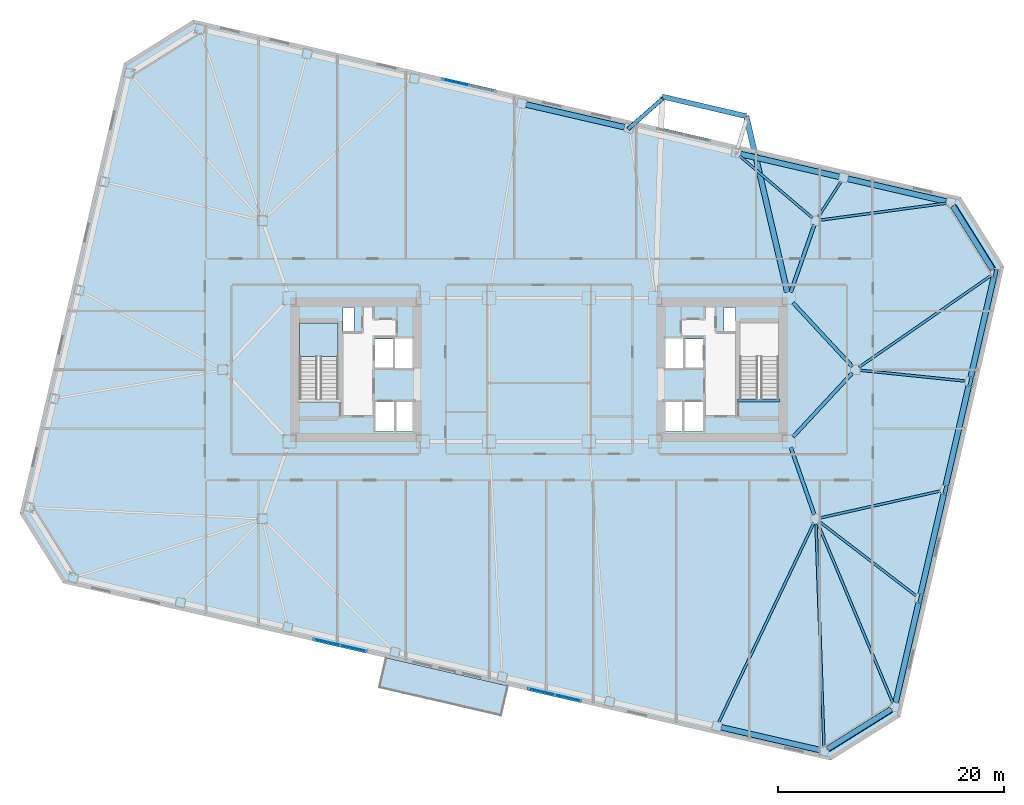
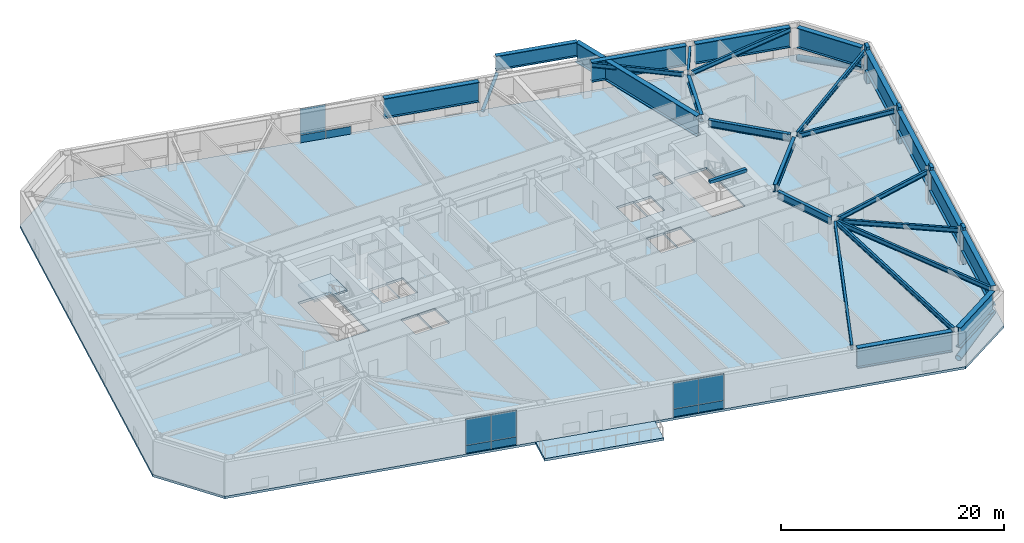
# One storey, part 8 of 21: 27 beams, 11 plates, 7 members, 3 slabs, 4 elements without a shape of their own.
"""IFC4 building model written with IfcOpenShell, lengths in metres."""

from ifc_helpers import new_model, si_unit, direction, frame, origin, origin_2d, place, context, subcontext, project, spatial, polyline, rectangle, hollow_circle, i_section, outline, extrude, material, layer, layer_set, material_profile, profile_set, type_object, element, aggregate, save


model = new_model("IFC4")

# Units and contexts
model_context = context("Model", 3, precision=1e-05, world=origin(), true_north=direction((0.0, 1.0)))
body_context = subcontext(model_context, "Body", "Model", "MODEL_VIEW")
ifc_project = project(units=[si_unit("LENGTHUNIT", "METRE"), si_unit("AREAUNIT", "SQUARE_METRE"), si_unit("VOLUMEUNIT", "CUBIC_METRE"), si_unit("PLANEANGLEUNIT", "RADIAN"), si_unit("MASSUNIT", "GRAM", prefix="KILO")], contexts=[model_context])

# Site, building, storey
site_placement = place(None, origin())
site = spatial("IfcSite", under=ifc_project, at=site_placement, CompositionType="ELEMENT")
building_placement = place(site_placement, origin())
building = spatial("IfcBuilding", under=site, at=building_placement, Name="Tavrogorsk Clinical Tower", CompositionType="ELEMENT")
storey_placement = place(building_placement, frame((0.0, 0.0, 59.39990234375)))
storey = spatial("IfcBuildingStorey", under=building, at=storey_placement, Name="L12", CompositionType="ELEMENT", Elevation=59.39990234375)

# Members
ifc_material_1 = material(Name="Structural steel S390", Category="steel")
ifc_material_profile_1 = material_profile(ifc_material_1, hollow_circle(Radius=0.177734375, WallThickness=0.01416015625, at=origin_2d()), Name="CHS-355.6x14.2")
ifc_profile_set_1 = profile_set([ifc_material_profile_1], Name="Structural steel S390")
member_type_1 = type_object("IfcMemberType", Name="DayroomStrut_CHS355", PredefinedType="STRUT", material=ifc_profile_set_1)
member_placement = place(storey_placement, frame((7.8984375, 21.334716796875, 0.424072265625), z_axis=(0.709462383556, 0.625762084719, 0.324168073147), x_axis=(-0.661482466426, 0.749960630041, 0.0)))
element("IfcMember", 1, at=member_placement, inside=storey, type_object=member_type_1, Name="L13 Day-Room Raking Strut DRB-02-L", PredefinedType="STRUT", context=body_context, shape_type="SweptSolid", body=[
    extrude(hollow_circle(Radius=0.177734375, WallThickness=0.01416015625, at=origin_2d()), origin(), (0.0, 0.0, 1.0), 4.293701171875),
])
ifc_material_2 = material(Name="Structural steel S440", Category="steel")
ifc_material_profile_2 = material_profile(ifc_material_2, hollow_circle(Radius=0.304931640625, WallThickness=0.02490234375, at=origin_2d()), Name="CHS-610x25")
ifc_profile_set_2 = profile_set([ifc_material_profile_2], Name="Structural steel S440")
member_type_2 = type_object("IfcMemberType", Name="ExoBrace_CHS610", PredefinedType="BRACE", material=ifc_profile_set_2)
for number, where, z_axis, x_axis, name in (
    (2, (25.581298828125, -33.543212890625, 0.365234375), (0.837159026748, 0.523104776539, 0.159769073029), (-0.5299118025, 0.848052758719, 0.0), "L12 Corner Exoskeleton Brace S8-E1"),
    (3, (36.664794921875, 14.46435546875, 0.365234375), (0.523104776539, -0.837159026748, 0.159769073029), (0.848052758719, 0.5299118025, 0.0), "L12 Corner Exoskeleton Brace E5-N1"),
):
    element("IfcMember", number, at=place(storey_placement, frame(where, z_axis=z_axis, x_axis=x_axis)), inside=storey, type_object=member_type_2, Name=name, PredefinedType="BRACE", context=body_context, shape_type="SweptSolid", body=[
        extrude(hollow_circle(Radius=0.304931640625, WallThickness=0.02490234375, at=origin_2d()), origin(), (0.0, 0.0, 1.0), 6.63330078125),
    ])

# Beams
ifc_material_3 = material(Name="Structural steel S355", Category="steel")
ifc_material_profile_3 = material_profile(ifc_material_3, i_section(OverallWidth=0.219970703125, OverallDepth=0.5, WebThickness=0.012939453125, FlangeThickness=0.02001953125, at=origin_2d()), Name="B-500x220x13x20")
ifc_profile_set_3 = profile_set([ifc_material_profile_3], Name="Structural steel S355")
beam_type_1 = type_object("IfcBeamType", Name="FloorBeam_B500", PredefinedType="BEAM", material=ifc_profile_set_3)
beam_1_placement = place(storey_placement, frame((24.323486328125, -13.570068359375, 3.489990234375), z_axis=(-0.430503237889, -0.90258903282, 0.0), x_axis=(0.90258903282, -0.430503237889, 0.0)))
element("IfcBeam", 4, at=beam_1_placement, inside=storey, type_object=beam_type_1, Name="L12 Radial Floor Beam S7", PredefinedType="BEAM", context=body_context, shape_type="SweptSolid", body=[
    extrude(i_section(OverallWidth=0.219970703125, OverallDepth=0.5, WebThickness=0.012939453125, FlangeThickness=0.02001953125, at=origin_2d()), origin(), (0.0, 0.0, 1.0), 19.527587890625),
])
beam_2_placement = place(storey_placement, frame((24.5146484375, -13.609619140625, 3.489990234375), z_axis=(0.035968399295, -0.999352927775, 0.0), x_axis=(0.999352927775, 0.035968399295, 0.0)))
element("IfcBeam", 5, at=beam_2_placement, inside=storey, type_object=beam_type_1, Name="L12 Radial Floor Beam S8", PredefinedType="BEAM", context=body_context, shape_type="SweptSolid", body=[
    extrude(i_section(OverallWidth=0.219970703125, OverallDepth=0.5, WebThickness=0.012939453125, FlangeThickness=0.02001953125, at=origin_2d()), origin(), (0.0, 0.0, 1.0), 19.751953125),
])
beam_3_placement = place(storey_placement, frame((24.90625, 13.254638671875, 3.489990234375), z_axis=(0.991091561022, 0.133182272357, 0.0), x_axis=(-0.133182272357, 0.991091561022, 0.0)))
element("IfcBeam", 6, at=beam_3_placement, inside=storey, type_object=beam_type_1, Name="L12 Radial Floor Beam N1", PredefinedType="BEAM", context=body_context, shape_type="SweptSolid", body=[
    extrude(i_section(OverallWidth=0.219970703125, OverallDepth=0.5, WebThickness=0.012939453125, FlangeThickness=0.02001953125, at=origin_2d()), origin(), (0.0, 0.0, 1.0), 11.24072265625),
])
beam_4_placement = place(storey_placement, frame((24.722412109375, 13.54443359375, 3.489990234375), z_axis=(0.54237908978, 0.840133872052, 0.0), x_axis=(-0.840133872052, 0.54237908978, 0.0)))
element("IfcBeam", 7, at=beam_4_placement, inside=storey, type_object=beam_type_1, Name="L12 Radial Floor Beam N2", PredefinedType="BEAM", context=body_context, shape_type="SweptSolid", body=[
    extrude(i_section(OverallWidth=0.219970703125, OverallDepth=0.5, WebThickness=0.012939453125, FlangeThickness=0.02001953125, at=origin_2d()), origin(), (0.0, 0.0, 1.0), 3.70361328125),
])
beam_5_placement = place(storey_placement, frame((24.187744140625, 13.465576171875, 3.489990234375), z_axis=(-0.761805700094, 0.647805584496, 0.0), x_axis=(-0.647805584496, -0.761805700094, 0.0)))
element("IfcBeam", 8, at=beam_5_placement, inside=storey, type_object=beam_type_1, Name="L12 Radial Floor Beam N3", PredefinedType="BEAM", context=body_context, shape_type="SweptSolid", body=[
    extrude(i_section(OverallWidth=0.219970703125, OverallDepth=0.5, WebThickness=0.012939453125, FlangeThickness=0.02001953125, at=origin_2d()), origin(), (0.0, 0.0, 1.0), 8.431396484375),
])
beam_6_placement = place(storey_placement, frame((24.658447265625, -13.578125, 3.489990234375), z_axis=(0.386243430459, -0.922396884441, 0.0), x_axis=(0.922396884441, 0.386243430459, 0.0)))
element("IfcBeam", 9, at=beam_6_placement, inside=storey, type_object=beam_type_1, Name="L12 Radial Floor Beam E1", PredefinedType="BEAM", context=body_context, shape_type="SweptSolid", body=[
    extrude(i_section(OverallWidth=0.219970703125, OverallDepth=0.5, WebThickness=0.012939453125, FlangeThickness=0.02001953125, at=origin_2d()), origin(), (0.0, 0.0, 1.0), 17.243408203125),
])
beam_7_placement = place(storey_placement, frame((24.825439453125, -13.449462890625, 3.489990234375), z_axis=(0.7934457884, -0.608640929342, 0.0), x_axis=(0.608640929342, 0.7934457884, 0.0)))
element("IfcBeam", 10, at=beam_7_placement, inside=storey, type_object=beam_type_1, Name="L12 Radial Floor Beam E2", PredefinedType="BEAM", context=body_context, shape_type="SweptSolid", body=[
    extrude(i_section(OverallWidth=0.219970703125, OverallDepth=0.5, WebThickness=0.012939453125, FlangeThickness=0.02001953125, at=origin_2d()), origin(), (0.0, 0.0, 1.0), 10.769287109375),
])
beam_8_placement = place(storey_placement, frame((24.900146484375, -13.1103515625, 3.489990234375), z_axis=(0.975844140255, 0.218467878484, 0.0), x_axis=(-0.218467878484, 0.975844140255, 0.0)))
element("IfcBeam", 11, at=beam_8_placement, inside=storey, type_object=beam_type_1, Name="L12 Radial Floor Beam E3", PredefinedType="BEAM", context=body_context, shape_type="SweptSolid", body=[
    extrude(i_section(OverallWidth=0.219970703125, OverallDepth=0.5, WebThickness=0.012939453125, FlangeThickness=0.02001953125, at=origin_2d()), origin(), (0.0, 0.0, 1.0), 10.876708984375),
])
beam_9_placement = place(storey_placement, frame((28.407958984375, -0.041748046875, 3.489990234375), z_axis=(0.994791610226, -0.101929643501, 0.0), x_axis=(0.101929643501, 0.994791610226, 0.0)))
element("IfcBeam", 12, at=beam_9_placement, inside=storey, type_object=beam_type_1, Name="L12 Radial Floor Beam E4", PredefinedType="BEAM", context=body_context, shape_type="SweptSolid", body=[
    extrude(i_section(OverallWidth=0.219970703125, OverallDepth=0.5, WebThickness=0.012939453125, FlangeThickness=0.02001953125, at=origin_2d()), origin(), (0.0, 0.0, 1.0), 9.365234375),
])
beam_10_placement = place(storey_placement, frame((28.3369140625, 0.233642578125, 3.489990234375), z_axis=(0.82154295725, 0.570146620961, 0.0), x_axis=(-0.570146620961, 0.82154295725, 0.0)))
element("IfcBeam", 13, at=beam_10_placement, inside=storey, type_object=beam_type_1, Name="L12 Radial Floor Beam E5", PredefinedType="BEAM", context=body_context, shape_type="SweptSolid", body=[
    extrude(i_section(OverallWidth=0.219970703125, OverallDepth=0.5, WebThickness=0.012939453125, FlangeThickness=0.02001953125, at=origin_2d()), origin(), (0.0, 0.0, 1.0), 14.212646484375),
])

# Members
ifc_material_4 = material(Name="Precast concrete B45 with limestone cladding", Category="masonry")
ifc_material_profile_4 = material_profile(ifc_material_4, rectangle(XDim=0.320068359375, YDim=0.719970703125, at=origin_2d()), Name="LIMESTONE-FIN-320x720")
ifc_profile_set_4 = profile_set([ifc_material_profile_4], Name="Precast concrete B45 with limestone cladding")
member_type_3 = type_object("IfcMemberType", Name="LimestonePleatFin_320x720", PredefinedType="USERDEFINED", material=ifc_profile_set_4)
for number, where, z_axis, x_axis, name in (
    (14, (33.772216796875, -20.2705078125, 0.0), (0.0, 0.0, 1.0), (0.974370064785, -0.224951054344, 0.0), "L12 E Pleated Stone Fin 1"),
    (15, (35.990234375, -10.6630859375, 0.0), (0.0, 0.0, 1.0), (0.974370064785, -0.224951054344, 0.0), "L12 E Pleated Stone Fin 2"),
    (16, (38.208251953125, -1.055908203125, 0.0), (0.0, 0.0, 1.0), (0.974370064785, -0.224951054344, 0.0), "L12 E Pleated Stone Fin 3"),
    (17, (40.42626953125, 8.551513671875, 0.0), (0.0, 0.0, 1.0), (0.974370064785, -0.224951054344, 0.0), "L12 E Pleated Stone Fin 4"),
):
    element("IfcMember", number, at=place(storey_placement, frame(where, z_axis=z_axis, x_axis=x_axis)), inside=storey, type_object=member_type_3, Name=name, ObjectType="FIN", PredefinedType="USERDEFINED", context=body_context, shape_type="SweptSolid", body=[
        extrude(rectangle(XDim=0.320068359375, YDim=0.719970703125, at=origin_2d()), origin(), (0.0, 0.0, 1.0), 4.0),
    ])

# Beams
ifc_material_5 = material(Name="Structural steel S390", Category="steel")
ifc_material_profile_5 = material_profile(ifc_material_5, i_section(OverallWidth=0.320068359375, OverallDepth=0.800048828125, WebThickness=0.02001953125, FlangeThickness=0.033935546875, at=origin_2d()), Name="B-800x320x20x34")
ifc_profile_set_5 = profile_set([ifc_material_profile_5], Name="Structural steel S390")
beam_type_2 = type_object("IfcBeamType", Name="PrimaryGirder_B800", PredefinedType="USERDEFINED", material=ifc_profile_set_5)
for number, where, z_axis, x_axis, name in (
    (18, (24.364501953125, -12.81298828125, 3.340087890625), (-0.330668611543, 0.943746930771, 0.0), (-0.943746930771, -0.330668611543, 0.0), "L12 Spine Link Girder OPG-2"),
    (19, (24.364501953125, 12.81298828125, 3.340087890625), (-0.330668611543, -0.943746930771, 0.0), (0.943746930771, -0.330668611543, 0.0), "L12 Spine Link Girder OPG-4"),
):
    element("IfcBeam", number, at=place(storey_placement, frame(where, z_axis=z_axis, x_axis=x_axis)), inside=storey, type_object=beam_type_2, Name=name, ObjectType="GIRDER", PredefinedType="USERDEFINED", context=body_context, shape_type="SweptSolid", body=[
        extrude(i_section(OverallWidth=0.320068359375, OverallDepth=0.800048828125, WebThickness=0.02001953125, FlangeThickness=0.033935546875, at=origin_2d()), origin(), (0.0, 0.0, 1.0), 6.288330078125),
    ])
for number, where, z_axis, x_axis, name in (
    (20, (27.720947265625, -0.30029296875, 3.340087890625), (-0.680671250221, -0.732589004233, 0.0), (0.732589004233, -0.680671250221, 0.0), "L12 Spine Link Girder OPG-7"),
    (21, (27.720947265625, 0.30029296875, 3.340087890625), (-0.680671250221, 0.732589004233, 0.0), (-0.732589004233, -0.680671250221, 0.0), "L12 Spine Link Girder OPG-8"),
):
    element("IfcBeam", number, at=place(storey_placement, frame(where, z_axis=z_axis, x_axis=x_axis)), inside=storey, type_object=beam_type_2, Name=name, ObjectType="GIRDER", PredefinedType="USERDEFINED", context=body_context, shape_type="SweptSolid", body=[
        extrude(i_section(OverallWidth=0.320068359375, OverallDepth=0.800048828125, WebThickness=0.02001953125, FlangeThickness=0.033935546875, at=origin_2d()), origin(), (0.0, 0.0, 1.0), 7.697998046875),
    ])
ifc_material_6 = material(Name="Concrete B60", Category="concrete")
ifc_material_profile_6 = material_profile(ifc_material_6, rectangle(XDim=0.300048828125, YDim=0.35009765625, at=origin_2d()), Name="RC-SHB-300x350")
ifc_profile_set_6 = profile_set([ifc_material_profile_6], Name="Concrete B60")
beam_type_3 = type_object("IfcBeamType", Name="StairHeaderBeam_RC300x350", PredefinedType="BEAM", material=ifc_profile_set_6)
beam_11_placement = place(storey_placement, frame((17.550048828125, -2.719970703125, 3.8251953125), z_axis=(1.0, 0.0, 0.0), x_axis=(0.0, 1.0, 0.0)))
element("IfcBeam", 22, at=beam_11_placement, inside=storey, type_object=beam_type_3, Name="L13 ST-E Landing Header Beam", PredefinedType="BEAM", context=body_context, shape_type="SweptSolid", body=[
    extrude(rectangle(XDim=0.300048828125, YDim=0.35009765625, at=origin_2d()), origin(), (0.0, 0.0, 1.0), 3.800048828125),
])
ifc_material_7 = material(Name="Structural steel S440", Category="steel")
ifc_material_profile_7 = material_profile(ifc_material_7, i_section(OverallWidth=0.449951171875, OverallDepth=1.60009765625, WebThickness=0.031982421875, FlangeThickness=0.050048828125, at=origin_2d()), Name="DK-1600x450x32x50")
ifc_profile_set_7 = profile_set([ifc_material_profile_7], Name="Structural steel S440")
beam_type_4 = type_object("IfcBeamType", Name="TransferGirder_DK1600", PredefinedType="USERDEFINED", material=ifc_profile_set_7)
beam_12_placement = place(storey_placement, frame((10.895263671875, 24.191162109375, 2.940185546875), z_axis=(0.973832258292, -0.227267975547, 0.0), x_axis=(0.227267975547, 0.973832258292, 0.0)))
element("IfcBeam", 23, at=beam_12_placement, inside=storey, type_object=beam_type_4, Name="L13 Day-Room Base Edge Girder DRB-02", ObjectType="GIRDER", PredefinedType="USERDEFINED", context=body_context, shape_type="SweptSolid", body=[
    extrude(i_section(OverallWidth=0.449951171875, OverallDepth=1.60009765625, WebThickness=0.031982421875, FlangeThickness=0.050048828125, at=origin_2d()), origin(), (0.0, 0.0, 1.0), 7.645263671875),
])
ifc_material_8 = material(Name="Structural steel S440", Category="steel")
ifc_material_profile_8 = material_profile(ifc_material_8, i_section(OverallWidth=0.5, OverallDepth=2.199951171875, WebThickness=0.035888671875, FlangeThickness=0.054931640625, at=origin_2d()), Name="DK-2200x500x36x55")
ifc_profile_set_8 = profile_set([ifc_material_profile_8], Name="Structural steel S440")
beam_type_5 = type_object("IfcBeamType", Name="TransferGirder_DK2200", PredefinedType="USERDEFINED", material=ifc_profile_set_8)
beam_13_placement = place(storey_placement, frame((16.138427734375, -31.655517578125, 2.64013671875), z_axis=(0.974372766602, -0.224939351168, 0.0), x_axis=(0.224939351168, 0.974372766602, 0.0)))
element("IfcBeam", 24, at=beam_13_placement, inside=storey, type_object=beam_type_5, Name="L12 Perimeter Spandrel S7-S8", ObjectType="GIRDER", PredefinedType="USERDEFINED", context=body_context, shape_type="SweptSolid", body=[
    extrude(i_section(OverallWidth=0.5, OverallDepth=2.199951171875, WebThickness=0.035888671875, FlangeThickness=0.054931640625, at=origin_2d()), origin(), (0.0, 0.0, 1.0), 8.9326171875),
])
beam_14_placement = place(storey_placement, frame((25.585693359375, -33.540283203125, 2.64013671875), z_axis=(0.848061235793, 0.529898235839, 0.0), x_axis=(-0.529898235839, 0.848061235793, 0.0)))
element("IfcBeam", 25, at=beam_14_placement, inside=storey, type_object=beam_type_5, Name="L12 Perimeter Spandrel S8-E1", ObjectType="GIRDER", PredefinedType="USERDEFINED", context=body_context, shape_type="SweptSolid", body=[
    extrude(i_section(OverallWidth=0.5, OverallDepth=2.199951171875, WebThickness=0.035888671875, FlangeThickness=0.054931640625, at=origin_2d()), origin(), (0.0, 0.0, 1.0), 6.537841796875),
])
beam_15_placement = place(storey_placement, frame((31.56787109375, -29.462158203125, 2.64013671875), z_axis=(0.224971881043, 0.974365256328, 0.0), x_axis=(-0.974365256328, 0.224971881043, 0.0)))
element("IfcBeam", 26, at=beam_15_placement, inside=storey, type_object=beam_type_5, Name="L12 Perimeter Spandrel E1-E2", ObjectType="GIRDER", PredefinedType="USERDEFINED", context=body_context, shape_type="SweptSolid", body=[
    extrude(i_section(OverallWidth=0.5, OverallDepth=2.199951171875, WebThickness=0.035888671875, FlangeThickness=0.054931640625, at=origin_2d()), origin(), (0.0, 0.0, 1.0), 9.044189453125),
])
for number, where, z_axis, x_axis, name in (
    (27, (33.785888671875, -19.85498046875, 2.64013671875), (0.224946252597, 0.974371173343, 0.0), (-0.974371173343, 0.224946252597, 0.0), "L12 Perimeter Spandrel E2-E3"),
    (28, (36.00390625, -10.24755859375, 2.64013671875), (0.224946252597, 0.974371173343, 0.0), (-0.974371173343, 0.224946252597, 0.0), "L12 Perimeter Spandrel E3-E4"),
):
    element("IfcBeam", number, at=place(storey_placement, frame(where, z_axis=z_axis, x_axis=x_axis)), inside=storey, type_object=beam_type_5, Name=name, ObjectType="GIRDER", PredefinedType="USERDEFINED", context=body_context, shape_type="SweptSolid", body=[
        extrude(i_section(OverallWidth=0.5, OverallDepth=2.199951171875, WebThickness=0.035888671875, FlangeThickness=0.054931640625, at=origin_2d()), origin(), (0.0, 0.0, 1.0), 9.0439453125),
    ])
beam_16_placement = place(storey_placement, frame((38.221923828125, -0.640380859375, 2.64013671875), z_axis=(0.224971881043, 0.974365256328, 0.0), x_axis=(-0.974365256328, 0.224971881043, 0.0)))
element("IfcBeam", 29, at=beam_16_placement, inside=storey, type_object=beam_type_5, Name="L12 Perimeter Spandrel E4-E5", ObjectType="GIRDER", PredefinedType="USERDEFINED", context=body_context, shape_type="SweptSolid", body=[
    extrude(i_section(OverallWidth=0.5, OverallDepth=2.199951171875, WebThickness=0.035888671875, FlangeThickness=0.054931640625, at=origin_2d()), origin(), (0.0, 0.0, 1.0), 9.044189453125),
])
beam_17_placement = place(storey_placement, frame((40.132080078125, 8.91552734375, 2.64013671875), z_axis=(-0.529925092475, 0.848044454239, 0.0), x_axis=(-0.848044454239, -0.529925092475, 0.0)))
element("IfcBeam", 30, at=beam_17_placement, inside=storey, type_object=beam_type_5, Name="L12 Perimeter Spandrel E5-N1", ObjectType="GIRDER", PredefinedType="USERDEFINED", context=body_context, shape_type="SweptSolid", body=[
    extrude(i_section(OverallWidth=0.5, OverallDepth=2.199951171875, WebThickness=0.035888671875, FlangeThickness=0.054931640625, at=origin_2d()), origin(), (0.0, 0.0, 1.0), 6.537841796875),
])
for number, where, z_axis, x_axis, name in (
    (31, (36.0537109375, 14.897705078125, 2.64013671875), (-0.974366775889, 0.224965299645, 0.0), (-0.224965299645, -0.974366775889, 0.0), "L12 Perimeter Spandrel N1-N2"),
    (32, (26.554931640625, 17.090576171875, 2.64013671875), (-0.974366775889, 0.224965299645, 0.0), (-0.224965299645, -0.974366775889, 0.0), "L12 Perimeter Spandrel N2-N3"),
    (33, (7.5576171875, 21.4765625, 2.64013671875), (-0.974366775889, 0.224965299645, 0.0), (-0.224965299645, -0.974366775889, 0.0), "L12 Perimeter Spandrel N4-N5"),
):
    element("IfcBeam", number, at=place(storey_placement, frame(where, z_axis=z_axis, x_axis=x_axis)), inside=storey, type_object=beam_type_5, Name=name, ObjectType="GIRDER", PredefinedType="USERDEFINED", context=body_context, shape_type="SweptSolid", body=[
        extrude(i_section(OverallWidth=0.5, OverallDepth=2.199951171875, WebThickness=0.035888671875, FlangeThickness=0.054931640625, at=origin_2d()), origin(), (0.0, 0.0, 1.0), 8.9326171875),
    ])
beam_18_placement = place(storey_placement, frame((21.97265625, 6.895263671875, 2.64013671875), z_axis=(-0.227336372351, 0.973816293664, 0.0), x_axis=(-0.973816293664, -0.227336372351, 0.0)))
element("IfcBeam", 34, at=beam_18_placement, inside=storey, type_object=beam_type_5, Name="L13 Day-Room Base Transfer Girder DRB-02-R", ObjectType="GIRDER", PredefinedType="USERDEFINED", context=body_context, shape_type="SweptSolid", body=[
    extrude(i_section(OverallWidth=0.5, OverallDepth=2.199951171875, WebThickness=0.035888671875, FlangeThickness=0.054931640625, at=origin_2d()), origin(), (0.0, 0.0, 1.0), 15.9765625),
])

# Curtain wall, plates
ifc_material_9 = material(Name="Anodised aluminium and triple IGU glazing", Category="aluminium")
ifc_layer_1 = layer(ifc_material_9, 0.179931640625)
ifc_layer_set_1 = layer_set([ifc_layer_1], Name="Anodised aluminium and triple IGU glazing")
curtain_wall_type_1 = type_object("IfcCurtainWallType", Name="CW3_SouthSlot", PredefinedType="NOTDEFINED", material=ifc_layer_set_1)
curtain_wall_1_placement = place(storey_placement, origin())
curtain_wall_1 = element("IfcCurtainWall", 35, at=curtain_wall_1_placement, inside=storey, type_object=curtain_wall_type_1, Name="L12 Curtain Wall CW-L12-S-SLOT-1", PredefinedType="NOTDEFINED")
ifc_material_10 = material(Name="Honed Podolsk limestone spandrel panel", Category="masonry")
ifc_layer_2 = layer(ifc_material_10, 0.080078125)
ifc_layer_set_2 = layer_set([ifc_layer_2], Name="Honed Podolsk limestone spandrel panel")
plate_type_1 = type_object("IfcPlateType", Name="CwSpandrelStonePanel_80", PredefinedType="CURTAIN_PANEL", material=ifc_layer_set_2)
plate_1_placement = place(storey_placement, frame((-18.79638671875, -24.113525390625, 0.002197265625), z_axis=(0.0, 0.0, 1.0), x_axis=(0.974370046851, -0.224951132027, 0.0)))
plate_1 = element("IfcPlate", 36, at=plate_1_placement, type_object=plate_type_1, Name="CW-L12-S-SLOT-1 Stone Spandrel Panel 1", PredefinedType="CURTAIN_PANEL", context=body_context, shape_type="SweptSolid", body=[
    extrude(rectangle(XDim=2.39208984375, YDim=0.080078125, at=origin_2d()), origin(), (0.0, 0.0, 1.0), 0.8359375),
])
plate_2_placement = place(storey_placement, frame((-16.442138671875, -24.656982421875, 0.002197265625), z_axis=(0.0, 0.0, 1.0), x_axis=(0.974370046851, -0.224951132027, 0.0)))
plate_2 = element("IfcPlate", 37, at=plate_2_placement, type_object=plate_type_1, Name="CW-L12-S-SLOT-1 Stone Spandrel Panel 2", PredefinedType="CURTAIN_PANEL", context=body_context, shape_type="SweptSolid", body=[
    extrude(rectangle(XDim=2.39208984375, YDim=0.080078125, at=origin_2d()), origin(), (0.0, 0.0, 1.0), 0.8359375),
])

curtain_wall_2_placement = place(storey_placement, origin())
curtain_wall_2 = element("IfcCurtainWall", 38, at=curtain_wall_2_placement, inside=storey, type_object=curtain_wall_type_1, Name="L12 Curtain Wall CW-L12-S-SLOT-2", PredefinedType="NOTDEFINED")
plate_3_placement = place(storey_placement, frame((0.201171875, -28.49951171875, 0.002197265625), z_axis=(0.0, 0.0, 1.0), x_axis=(0.974370102963, -0.224950888978, 0.0)))
plate_3 = element("IfcPlate", 39, at=plate_3_placement, type_object=plate_type_1, Name="CW-L12-S-SLOT-2 Stone Spandrel Panel 1", PredefinedType="CURTAIN_PANEL", context=body_context, shape_type="SweptSolid", body=[
    extrude(rectangle(XDim=2.39208984375, YDim=0.080078125, at=origin_2d()), origin(), (0.0, 0.0, 1.0), 0.8359375),
])
plate_4_placement = place(storey_placement, frame((2.55517578125, -29.04296875, 0.002197265625), z_axis=(0.0, 0.0, 1.0), x_axis=(0.974370102963, -0.224950888978, 0.0)))
plate_4 = element("IfcPlate", 40, at=plate_4_placement, type_object=plate_type_1, Name="CW-L12-S-SLOT-2 Stone Spandrel Panel 2", PredefinedType="CURTAIN_PANEL", context=body_context, shape_type="SweptSolid", body=[
    extrude(rectangle(XDim=2.39208984375, YDim=0.080078125, at=origin_2d()), origin(), (0.0, 0.0, 1.0), 0.8359375),
])

ifc_material_11 = material(Name="Anodised aluminium and triple IGU glazing", Category="aluminium")
ifc_layer_3 = layer(ifc_material_11, 0.179931640625)
ifc_layer_set_3 = layer_set([ifc_layer_3], Name="Anodised aluminium and triple IGU glazing")
curtain_wall_type_2 = type_object("IfcCurtainWallType", Name="CW2_NorthSlot", PredefinedType="NOTDEFINED", material=ifc_layer_set_3)
curtain_wall_3_placement = place(storey_placement, origin())
curtain_wall_3 = element("IfcCurtainWall", 41, at=curtain_wall_3_placement, inside=storey, type_object=curtain_wall_type_2, Name="L12 Curtain Wall CW-L12-N-SLOT-1", PredefinedType="NOTDEFINED")
plate_5_placement = place(storey_placement, frame((-5.001220703125, 24.8994140625, 0.002197265625), z_axis=(0.0, 0.0, 1.0), x_axis=(-0.974370102963, 0.224950888978, 0.0)))
plate_5 = element("IfcPlate", 42, at=plate_5_placement, type_object=plate_type_1, Name="CW-L12-N-SLOT-1 Stone Spandrel Panel 1", PredefinedType="CURTAIN_PANEL", context=body_context, shape_type="SweptSolid", body=[
    extrude(rectangle(XDim=2.39208984375, YDim=0.080078125, at=origin_2d()), origin(), (0.0, 0.0, 1.0), 0.8359375),
])
plate_6_placement = place(storey_placement, frame((-7.355224609375, 25.44287109375, 0.002197265625), z_axis=(0.0, 0.0, 1.0), x_axis=(-0.974370102963, 0.224950888978, 0.0)))
plate_6 = element("IfcPlate", 43, at=plate_6_placement, type_object=plate_type_1, Name="CW-L12-N-SLOT-1 Stone Spandrel Panel 2", PredefinedType="CURTAIN_PANEL", context=body_context, shape_type="SweptSolid", body=[
    extrude(rectangle(XDim=2.39208984375, YDim=0.080078125, at=origin_2d()), origin(), (0.0, 0.0, 1.0), 0.8359375),
])

# Plate
ifc_material_12 = material(Name="Triple low-E argon insulated glass", Category="glass")
ifc_layer_4 = layer(ifc_material_12, 0.048095703125)
ifc_layer_set_4 = layer_set([ifc_layer_4], Name="Triple low-E argon insulated glass")
plate_type_2 = type_object("IfcPlateType", Name="CwVisionGlassPanel_48", PredefinedType="CURTAIN_PANEL", material=ifc_layer_set_4)
plate_7_placement = place(storey_placement, frame((-18.79638671875, -24.113525390625, 0.862060546875), z_axis=(0.0, 0.0, 1.0), x_axis=(0.974370046851, -0.224951132027, 0.0)))
plate_7 = element("IfcPlate", 44, at=plate_7_placement, type_object=plate_type_2, Name="CW-L12-S-SLOT-1 Glazing Panel 1", PredefinedType="CURTAIN_PANEL", context=body_context, shape_type="SweptSolid", body=[
    extrude(rectangle(XDim=2.39208984375, YDim=0.048095703125, at=origin_2d()), origin(), (0.0, 0.0, 1.0), 2.8759765625),
])

plate_8_placement = place(storey_placement, frame((-16.442138671875, -24.656982421875, 0.862060546875), z_axis=(0.0, 0.0, 1.0), x_axis=(0.974370046851, -0.224951132027, 0.0)))
plate_8 = element("IfcPlate", 45, at=plate_8_placement, type_object=plate_type_2, Name="CW-L12-S-SLOT-1 Glazing Panel 2", PredefinedType="CURTAIN_PANEL", context=body_context, shape_type="SweptSolid", body=[
    extrude(rectangle(XDim=2.39208984375, YDim=0.048095703125, at=origin_2d()), origin(), (0.0, 0.0, 1.0), 2.8759765625),
])

aggregate(curtain_wall_1, [plate_1, plate_7, plate_2, plate_8])

plate_9_placement = place(storey_placement, frame((0.201171875, -28.49951171875, 0.862060546875), z_axis=(0.0, 0.0, 1.0), x_axis=(0.974370102963, -0.224950888978, 0.0)))
plate_9 = element("IfcPlate", 46, at=plate_9_placement, type_object=plate_type_2, Name="CW-L12-S-SLOT-2 Glazing Panel 1", PredefinedType="CURTAIN_PANEL", context=body_context, shape_type="SweptSolid", body=[
    extrude(rectangle(XDim=2.39208984375, YDim=0.048095703125, at=origin_2d()), origin(), (0.0, 0.0, 1.0), 2.8759765625),
])

plate_10_placement = place(storey_placement, frame((2.55517578125, -29.04296875, 0.862060546875), z_axis=(0.0, 0.0, 1.0), x_axis=(0.974370102963, -0.224950888978, 0.0)))
plate_10 = element("IfcPlate", 47, at=plate_10_placement, type_object=plate_type_2, Name="CW-L12-S-SLOT-2 Glazing Panel 2", PredefinedType="CURTAIN_PANEL", context=body_context, shape_type="SweptSolid", body=[
    extrude(rectangle(XDim=2.39208984375, YDim=0.048095703125, at=origin_2d()), origin(), (0.0, 0.0, 1.0), 2.8759765625),
])

aggregate(curtain_wall_2, [plate_3, plate_9, plate_4, plate_10])

plate_11_placement = place(storey_placement, frame((-7.355224609375, 25.44287109375, 0.862060546875), z_axis=(0.0, 0.0, 1.0), x_axis=(-0.974370102963, 0.224950888978, 0.0)))
plate_11 = element("IfcPlate", 48, at=plate_11_placement, type_object=plate_type_2, Name="CW-L12-N-SLOT-1 Glazing Panel 2", PredefinedType="CURTAIN_PANEL", context=body_context, shape_type="SweptSolid", body=[
    extrude(rectangle(XDim=2.39208984375, YDim=0.048095703125, at=origin_2d()), origin(), (0.0, 0.0, 1.0), 2.8759765625),
])

aggregate(curtain_wall_3, [plate_5, plate_6, plate_11])

# Stair, slab
ifc_material_13 = material(Name="Concrete B60", Category="concrete")
stair_type = type_object("IfcStairType", Name="CoreStairAssembly", PredefinedType="HALF_TURN_STAIR", material=ifc_material_13)
stair_placement = place(storey_placement, origin())
stair = element("IfcStair", 49, at=stair_placement, inside=storey, type_object=stair_type, Name="L12 ST-W", PredefinedType="HALF_TURN_STAIR")
ifc_material_14 = material(Name="Concrete B60", Category="concrete")
ifc_layer_5 = layer(ifc_material_14, 0.199951171875)
ifc_layer_set_5 = layer_set([ifc_layer_5], Name="Concrete B60")
slab_type_1 = type_object("IfcSlabType", Name="StairLanding_200", PredefinedType="LANDING", material=ifc_layer_set_5)
slab_1_placement = place(storey_placement, frame((0.0, 0.0, 1.800048828125)))
slab_1 = element("IfcSlab", 50, at=slab_1_placement, type_object=slab_type_1, Name="ST-W landing 1", PredefinedType="LANDING", context=body_context, shape_type="SweptSolid", body=[
    extrude(outline(polyline([(-17.800048828125, 1.1650390625), (-17.800048828125, 4.125), (-21.199951171875, 4.125), (-21.199951171875, 1.1650390625), (-17.800048828125, 1.1650390625)])), origin(), (0.0, 0.0, 1.0), 0.199951171875),
])
aggregate(stair, [slab_1])

# Slabs
ifc_material_15 = material(Name="Concrete B60", Category="concrete")
ifc_layer_6 = layer(ifc_material_15, 0.280029296875)
ifc_layer_set_6 = layer_set([ifc_layer_6], Name="Concrete B60")
slab_type_2 = type_object("IfcSlabType", Name="TerraceRoofSlab_280", PredefinedType="ROOF", material=ifc_layer_set_6)
slab_2_placement = place(storey_placement, frame((0.0, 0.0, -0.27978515625)))
element("IfcSlab", 51, at=slab_2_placement, inside=storey, type_object=slab_type_2, Name="Spiralling Recuperation Terrace Slab", PredefinedType="ROOF", context=body_context, shape_type="SweptSolid", body=[
    extrude(outline(polyline([(-3.32080078125, -30.68310546875), (-14.23388671875, -28.163818359375), (-13.615234375, -25.484130859375), (-2.702392578125, -28.003662109375), (-3.32080078125, -30.68310546875)])), origin(), (0.0, 0.0, 1.0), 0.27978515625),
])
ifc_material_16 = material(Name="Concrete B60", Category="concrete")
ifc_layer_7 = layer(ifc_material_16, 0.260009765625)
ifc_layer_set_7 = layer_set([ifc_layer_7], Name="Concrete B60")
slab_type_3 = type_object("IfcSlabType", Name="WardSlab_260", PredefinedType="FLOOR", material=ifc_layer_set_7)
slab_3_placement = place(storey_placement, frame((0.0, 0.0, -0.260009765625)))
element("IfcSlab", 52, at=slab_3_placement, inside=storey, type_object=slab_type_3, Name="L12 Structural Slab", PredefinedType="FLOOR", context=body_context, shape_type="SweptSolid", body=[
    extrude(outline(polyline([(-42.06689453125, -18.91552734375), (25.749267578125, -34.572265625), (31.98583984375, -30.67529296875), (41.163818359375, 9.0791015625), (37.266845703125, 15.315673828125), (-30.54931640625, 30.97216796875), (-36.785888671875, 27.0751953125), (-45.9638671875, -12.67919921875), (-42.06689453125, -18.91552734375)]), holes=[polyline([(-17.800048828125, -2.8798828125), (-17.800048828125, 4.125), (-21.199951171875, 4.125), (-21.199951171875, -2.8798828125), (-17.800048828125, -2.8798828125)]), polyline([(21.199951171875, -2.8798828125), (21.199951171875, 4.125), (17.800048828125, 4.125), (17.800048828125, -2.8798828125), (21.199951171875, -2.8798828125)]), polyline([(-14.6201171875, 0.169921875), (-12.860107421875, 0.169921875), (-12.860107421875, 2.72998046875), (-14.6201171875, 2.72998046875), (-14.6201171875, 0.169921875)]), polyline([(-14.530029296875, -5.47998046875), (-12.77001953125, -5.47998046875), (-12.77001953125, -2.820068359375), (-14.530029296875, -2.820068359375), (-14.530029296875, -5.47998046875)]), polyline([(-12.72998046875, -5.47998046875), (-10.969970703125, -5.47998046875), (-10.969970703125, -2.820068359375), (-12.72998046875, -2.820068359375), (-12.72998046875, -5.47998046875)]), polyline([(-12.840087890625, 0.1201171875), (-11.080078125, 0.1201171875), (-11.080078125, 2.780029296875), (-12.840087890625, 2.780029296875), (-12.840087890625, 0.1201171875)]), polyline([(12.860107421875, 0.169921875), (14.6201171875, 0.169921875), (14.6201171875, 2.72998046875), (12.860107421875, 2.72998046875), (12.860107421875, 0.169921875)]), polyline([(12.77001953125, -5.47998046875), (14.530029296875, -5.47998046875), (14.530029296875, -2.820068359375), (12.77001953125, -2.820068359375), (12.77001953125, -5.47998046875)]), polyline([(10.969970703125, -5.47998046875), (12.72998046875, -5.47998046875), (12.72998046875, -2.820068359375), (10.969970703125, -2.820068359375), (10.969970703125, -5.47998046875)]), polyline([(11.080078125, 0.1201171875), (12.840087890625, 0.1201171875), (12.840087890625, 2.780029296875), (11.080078125, 2.780029296875), (11.080078125, 0.1201171875)]), polyline([(-17.3798828125, 3.449951171875), (-16.3798828125, 3.449951171875), (-16.3798828125, 5.5), (-17.3798828125, 5.5), (-17.3798828125, 3.449951171875)]), polyline([(16.3798828125, 3.449951171875), (17.3798828125, 3.449951171875), (17.3798828125, 5.5), (16.3798828125, 5.5), (16.3798828125, 3.449951171875)])]), origin(), (0.0, 0.0, 1.0), 0.260009765625),
])

save(model, "model.ifc")
